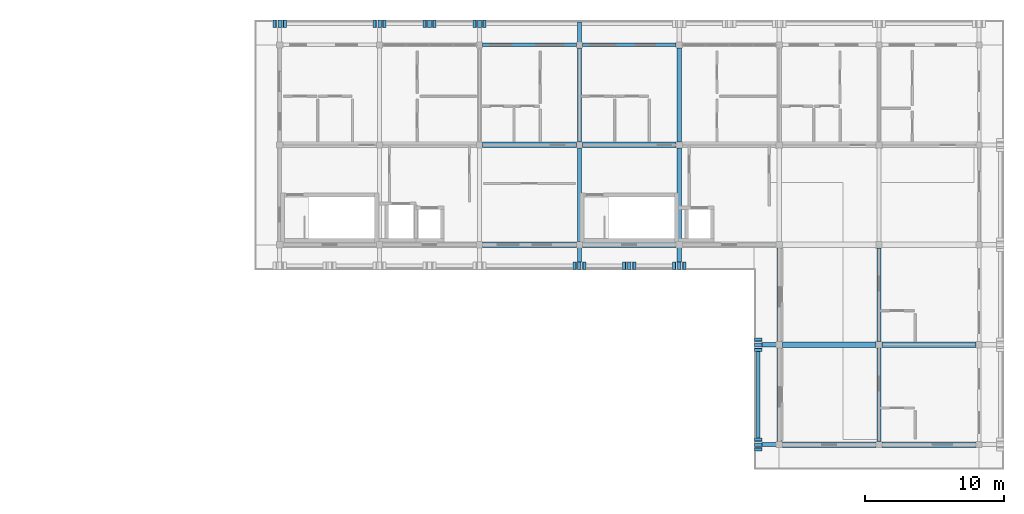
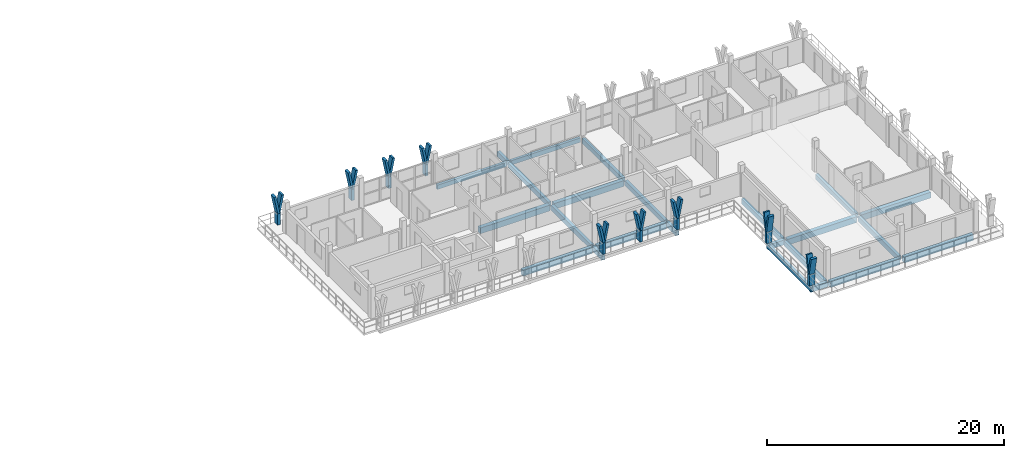
# One storey, part 10 of 32: 27 members, 24 beams.
"""IFC4 building model written with IfcOpenShell, lengths in metres."""

from ifc_helpers import new_model, si_unit, direction, frame, origin, origin_2d, place, context, subcontext, project, spatial, rectangle, extrude, material, material_profile, profile_set, type_object, element, save


model = new_model("IFC4")

# Units and contexts
model_context = context("Model", 3, precision=1e-05, world=origin(), true_north=direction((0.0, 1.0)))
body_context = subcontext(model_context, "Body", "Model", "MODEL_VIEW")
ifc_project = project(units=[si_unit("LENGTHUNIT", "METRE"), si_unit("AREAUNIT", "SQUARE_METRE"), si_unit("VOLUMEUNIT", "CUBIC_METRE"), si_unit("PLANEANGLEUNIT", "RADIAN"), si_unit("MASSUNIT", "GRAM", prefix="KILO")], contexts=[model_context])

# Site, building, storey
site_placement = place(None, origin())
site = spatial("IfcSite", under=ifc_project, at=site_placement, CompositionType="ELEMENT")
building_placement = place(site_placement, origin())
building = spatial("IfcBuilding", under=site, at=building_placement, Name="Suanplinth Sawtooth Commons", CompositionType="ELEMENT")
storey_placement = place(building_placement, frame((0.0, 0.0, 41.199951171875)))
storey = spatial("IfcBuildingStorey", under=building, at=storey_placement, Name="L12", CompositionType="ELEMENT", Elevation=41.199951171875)

# Beams
ifc_material_1 = material(Name="Precast concrete C40/50", Category="concrete")
ifc_material_profile_1 = material_profile(ifc_material_1, rectangle(XDim=0.39990234375, YDim=0.60009765625, at=origin_2d()), Name="PC-GDR 400x600")
ifc_profile_set_1 = profile_set([ifc_material_profile_1], Name="Precast concrete C40/50")
beam_type_1 = type_object("IfcBeamType", Name="B-05", PredefinedType="USERDEFINED", material=ifc_profile_set_1)
for number, where, z_axis, x_axis, name in (
    (1, (151.425048828125, 108.0, -0.510009765625), (1.0, 0.0, 0.0), (0.0, 1.0, 0.0), "BMX-L12-B-21-15"),
    (2, (151.425048828125, 115.199951171875, -0.510009765625), (1.0, 0.0, 0.0), (0.0, 1.0, 0.0), "BMX-L12-B-21-16"),
    (3, (158.625, 108.0, -0.510009765625), (1.0, 0.0, 0.0), (0.0, 1.0, 0.0), "BMX-L12-B-22-15"),
    (4, (158.625, 115.199951171875, -0.510009765625), (1.0, 0.0, 0.0), (0.0, 1.0, 0.0), "BMX-L12-B-22-16"),
    (5, (173.02490234375, 93.60009765625, -0.510009765625), (1.0, 0.0, 0.0), (0.0, 1.0, 0.0), "BMX-L12-B-24-13"),
    (6, (173.02490234375, 100.800048828125, -0.510009765625), (1.0, 0.0, 0.0), (0.0, 1.0, 0.0), "BMX-L12-B-24-14"),
    (7, (180.22509765625, 93.60009765625, -0.510009765625), (1.0, 0.0, 0.0), (0.0, 1.0, 0.0), "BMX-L12-B-25-13"),
    (8, (180.22509765625, 100.800048828125, -0.510009765625), (1.0, 0.0, 0.0), (0.0, 1.0, 0.0), "BMX-L12-B-25-14"),
):
    element("IfcBeam", number, at=place(storey_placement, frame(where, z_axis=z_axis, x_axis=x_axis)), inside=storey, type_object=beam_type_1, Name=name, ObjectType="GIRDER", PredefinedType="USERDEFINED", context=body_context, shape_type="SweptSolid", body=[
        extrude(rectangle(XDim=0.39990234375, YDim=0.60009765625, at=origin_2d()), origin(), (0.0, 0.0, 1.0), 6.75),
    ])
ifc_material_profile_2 = material_profile(ifc_material_1, rectangle(XDim=0.300048828125, YDim=0.5, at=origin_2d()), Name="PC-BM 300x500")
ifc_profile_set_2 = profile_set([ifc_material_profile_2], Name="Precast concrete C40/50")
beam_type_2 = type_object("IfcBeamType", Name="B-07", PredefinedType="BEAM", material=ifc_profile_set_2)
for number, where, z_axis, x_axis, name in (
    (9, (158.39990234375, 108.22509765625, -0.4599609375), (0.0, 1.0, 0.0), (-1.0, 0.0, 0.0), "BMY-L12-B-22-15"),
    (10, (158.39990234375, 115.425048828125, -0.4599609375), (0.0, 1.0, 0.0), (-1.0, 0.0, 0.0), "BMY-L12-B-22-16"),
    (11, (165.60009765625, 108.22509765625, -0.4599609375), (0.0, 1.0, 0.0), (-1.0, 0.0, 0.0), "BMY-L12-B-23-15"),
    (12, (165.60009765625, 115.425048828125, -0.4599609375), (0.0, 1.0, 0.0), (-1.0, 0.0, 0.0), "BMY-L12-B-23-16"),
    (13, (172.800048828125, 93.824951171875, -0.4599609375), (0.0, 1.0, 0.0), (-1.0, 0.0, 0.0), "BMY-L12-B-24-13"),
    (14, (172.800048828125, 101.02490234375, -0.4599609375), (0.0, 1.0, 0.0), (-1.0, 0.0, 0.0), "BMY-L12-B-24-14"),
    (15, (180.0, 93.824951171875, -0.4599609375), (0.0, 1.0, 0.0), (-1.0, 0.0, 0.0), "BMY-L12-B-25-13"),
    (16, (180.0, 101.02490234375, -0.4599609375), (0.0, 1.0, 0.0), (-1.0, 0.0, 0.0), "BMY-L12-B-25-14"),
):
    element("IfcBeam", number, at=place(storey_placement, frame(where, z_axis=z_axis, x_axis=x_axis)), inside=storey, type_object=beam_type_2, Name=name, PredefinedType="BEAM", context=body_context, shape_type="SweptSolid", body=[
        extrude(rectangle(XDim=0.300048828125, YDim=0.5, at=origin_2d()), origin(), (0.0, 0.0, 1.0), 6.75),
    ])
beam_1_placement = place(storey_placement, frame((158.39990234375, 122.39990234375, -0.429931640625), z_axis=(0.0, 1.0, 0.0), x_axis=(-1.0, 0.0, 0.0)))
element("IfcBeam", 17, at=beam_1_placement, inside=storey, type_object=beam_type_2, Name="Balcony Outrigger L12-B-N-22", PredefinedType="BEAM", context=body_context, shape_type="SweptSolid", body=[
    extrude(rectangle(XDim=0.300048828125, YDim=0.5, at=origin_2d()), origin(), (0.0, 0.0, 1.0), 1.64013671875),
])
for number, where, z_axis, x_axis, name in (
    (18, (158.39990234375, 108.0, -0.425048828125), (0.0, -1.0, 0.0), (1.0, 0.0, 0.0), "Balcony Outrigger L12-B-SC-22"),
    (19, (165.60009765625, 108.0, -0.425048828125), (0.0, -1.0, 0.0), (1.0, 0.0, 0.0), "Balcony Outrigger L12-B-SC-23"),
):
    element("IfcBeam", number, at=place(storey_placement, frame(where, z_axis=z_axis, x_axis=x_axis)), inside=storey, type_object=beam_type_2, Name=name, PredefinedType="BEAM", context=body_context, shape_type="SweptSolid", body=[
        extrude(rectangle(XDim=0.300048828125, YDim=0.5, at=origin_2d()), origin(), (0.0, 0.0, 1.0), 1.639892578125),
    ])
for number, where, z_axis, x_axis, name in (
    (20, (172.800048828125, 93.60009765625, -0.425048828125), (-1.0, 0.0, 0.0), (0.0, -1.0, 0.0), "Balcony Outrigger L12-B-WC-13"),
    (21, (172.800048828125, 100.800048828125, -0.425048828125), (-1.0, 0.0, 0.0), (0.0, -1.0, 0.0), "Balcony Outrigger L12-B-WC-14"),
):
    element("IfcBeam", number, at=place(storey_placement, frame(where, z_axis=z_axis, x_axis=x_axis)), inside=storey, type_object=beam_type_2, Name=name, PredefinedType="BEAM", context=body_context, shape_type="SweptSolid", body=[
        extrude(rectangle(XDim=0.300048828125, YDim=0.5, at=origin_2d()), origin(), (0.0, 0.0, 1.0), 1.64013671875),
    ])
ifc_material_profile_3 = material_profile(ifc_material_1, rectangle(XDim=0.25, YDim=0.449951171875, at=origin_2d()), Name="PC-SP 250x450")
ifc_profile_set_3 = profile_set([ifc_material_profile_3], Name="Precast concrete C40/50")
beam_type_3 = type_object("IfcBeamType", Name="B-09", PredefinedType="SPANDREL", material=ifc_profile_set_3)
for number, where, z_axis, x_axis, name in (
    (22, (151.425048828125, 122.39990234375, -0.43505859375), (1.0, 0.0, 0.0), (0.0, 1.0, 0.0), "BMX-L12-B-21-17"),
    (23, (158.625, 122.39990234375, -0.43505859375), (1.0, 0.0, 0.0), (0.0, 1.0, 0.0), "BMX-L12-B-22-17"),
):
    element("IfcBeam", number, at=place(storey_placement, frame(where, z_axis=z_axis, x_axis=x_axis)), inside=storey, type_object=beam_type_3, Name=name, PredefinedType="SPANDREL", context=body_context, shape_type="SweptSolid", body=[
        extrude(rectangle(XDim=0.25, YDim=0.449951171875, at=origin_2d()), origin(), (0.0, 0.0, 1.0), 6.75),
    ])
beam_2_placement = place(storey_placement, frame((171.280029296875, 93.449951171875, -0.39990234375), z_axis=(0.0, 1.0, 0.0), x_axis=(-1.0, 0.0, 0.0)))
element("IfcBeam", 24, at=beam_2_placement, inside=storey, type_object=beam_type_3, Name="Balcony Edge Fascia L12-B-WC", PredefinedType="SPANDREL", context=body_context, shape_type="SweptSolid", body=[
    extrude(rectangle(XDim=0.25, YDim=0.449951171875, at=origin_2d()), origin(), (0.0, 0.0, 1.0), 7.5),
])

# Members
ifc_material_2 = material(Name="Pigmented precast concrete C40/50", Category="concrete")
ifc_material_profile_4 = material_profile(ifc_material_2, rectangle(XDim=0.260009765625, YDim=0.550048828125, at=origin_2d()), Name="PC-FIN 260x550")
ifc_profile_set_4 = profile_set([ifc_material_profile_4], Name="Pigmented precast concrete C40/50")
member_type_1 = type_object("IfcMemberType", Name="M-09", PredefinedType="USERDEFINED", material=ifc_profile_set_4)
for number, where, z_axis, x_axis, name in (
    (25, (136.800048828125, 123.919921875, 0.0), (0.0, 0.0, 1.0), (1.0, 0.0, 0.0), "Y-Blade Stem L12-B-N-01"),
    (26, (144.0, 123.919921875, 0.0), (0.0, 0.0, 1.0), (1.0, 0.0, 0.0), "Y-Blade Stem L12-B-N-02"),
    (27, (147.60009765625, 123.919921875, 0.0), (0.0, 0.0, 1.0), (1.0, 0.0, 0.0), "Y-Blade Stem L12-B-N-03"),
    (28, (151.199951171875, 123.919921875, 0.0), (0.0, 0.0, 1.0), (1.0, 0.0, 0.0), "Y-Blade Stem L12-B-N-04"),
    (29, (158.39990234375, 106.47998046875, 0.0), (0.0, 0.0, 1.0), (1.0, 0.0, 0.0), "Y-Blade Stem L12-B-SC-19"),
    (30, (162.0, 106.47998046875, 0.0), (0.0, 0.0, 1.0), (1.0, 0.0, 0.0), "Y-Blade Stem L12-B-SC-20"),
    (31, (165.60009765625, 106.47998046875, 0.0), (0.0, 0.0, 1.0), (1.0, 0.0, 0.0), "Y-Blade Stem L12-B-SC-21"),
    (32, (171.280029296875, 93.60009765625, 0.0), (0.0, 0.0, 1.0), (0.0, 1.0, 0.0), "Y-Blade Stem L12-B-WC-22"),
    (33, (171.280029296875, 100.800048828125, 0.0), (0.0, 0.0, 1.0), (0.0, 1.0, 0.0), "Y-Blade Stem L12-B-WC-23"),
):
    element("IfcMember", number, at=place(storey_placement, frame(where, z_axis=z_axis, x_axis=x_axis)), inside=storey, type_object=member_type_1, Name=name, ObjectType="SHADING FIN", PredefinedType="USERDEFINED", context=body_context, shape_type="SweptSolid", body=[
        extrude(rectangle(XDim=0.260009765625, YDim=0.550048828125, at=origin_2d()), origin(), (0.0, 0.0, 1.0), 1.170166015625),
    ])
ifc_material_profile_5 = material_profile(ifc_material_2, rectangle(XDim=0.219970703125, YDim=0.550048828125, at=origin_2d()), Name="PC-FIN 220x550")
ifc_profile_set_5 = profile_set([ifc_material_profile_5], Name="Pigmented precast concrete C40/50")
member_type_2 = type_object("IfcMemberType", Name="M-10", PredefinedType="USERDEFINED", material=ifc_profile_set_5)
for number, where, z_axis, x_axis, name in (
    (34, (136.800048828125, 123.919921875, 1.130126953125), (-0.196216224008, 0.0, 0.980560652604), (0.980560652604, 0.0, 0.196216224008), "Y-Blade Arm L L12-B-N-01"),
    (35, (136.800048828125, 123.919921875, 1.130126953125), (0.196216224008, 0.0, 0.980560652604), (-0.980560652604, 0.0, 0.196216224008), "Y-Blade Arm R L12-B-N-01"),
    (36, (144.0, 123.919921875, 1.130126953125), (-0.196216224008, 0.0, 0.980560652604), (0.980560652604, 0.0, 0.196216224008), "Y-Blade Arm L L12-B-N-02"),
    (37, (144.0, 123.919921875, 1.130126953125), (0.196216224008, 0.0, 0.980560652604), (-0.980560652604, 0.0, 0.196216224008), "Y-Blade Arm R L12-B-N-02"),
):
    element("IfcMember", number, at=place(storey_placement, frame(where, z_axis=z_axis, x_axis=x_axis)), inside=storey, type_object=member_type_2, Name=name, ObjectType="SHADING FIN", PredefinedType="USERDEFINED", context=body_context, shape_type="SweptSolid", body=[
        extrude(rectangle(XDim=0.219970703125, YDim=0.550048828125, at=origin_2d()), origin(), (0.0, 0.0, 1.0), 1.876220703125),
    ])
member_1_placement = place(storey_placement, frame((147.60009765625, 123.919921875, 1.130126953125), z_axis=(-0.196341326472, 0.0, 0.980535610531), x_axis=(0.980535610531, 0.0, 0.196341326472)))
element("IfcMember", 38, at=member_1_placement, inside=storey, type_object=member_type_2, Name="Y-Blade Arm L L12-B-N-03", ObjectType="SHADING FIN", PredefinedType="USERDEFINED", context=body_context, shape_type="SweptSolid", body=[
    extrude(rectangle(XDim=0.219970703125, YDim=0.550048828125, at=origin_2d()), origin(), (0.0, 0.0, 1.0), 1.87646484375),
])
for number, where, z_axis, x_axis, name in (
    (39, (147.60009765625, 123.919921875, 1.130126953125), (0.196216224008, 0.0, 0.980560652604), (-0.980560652604, 0.0, 0.196216224008), "Y-Blade Arm R L12-B-N-03"),
    (40, (151.199951171875, 123.919921875, 1.130126953125), (-0.196216224008, 0.0, 0.980560652604), (0.980560652604, 0.0, 0.196216224008), "Y-Blade Arm L L12-B-N-04"),
    (41, (151.199951171875, 123.919921875, 1.130126953125), (0.196216224008, 0.0, 0.980560652604), (-0.980560652604, 0.0, 0.196216224008), "Y-Blade Arm R L12-B-N-04"),
    (42, (158.39990234375, 106.47998046875, 1.130126953125), (-0.196216224008, 0.0, 0.980560652604), (0.980560652604, 0.0, 0.196216224008), "Y-Blade Arm L L12-B-SC-19"),
):
    element("IfcMember", number, at=place(storey_placement, frame(where, z_axis=z_axis, x_axis=x_axis)), inside=storey, type_object=member_type_2, Name=name, ObjectType="SHADING FIN", PredefinedType="USERDEFINED", context=body_context, shape_type="SweptSolid", body=[
        extrude(rectangle(XDim=0.219970703125, YDim=0.550048828125, at=origin_2d()), origin(), (0.0, 0.0, 1.0), 1.876220703125),
    ])
member_2_placement = place(storey_placement, frame((158.39990234375, 106.47998046875, 1.130126953125), z_axis=(0.196341326472, 0.0, 0.980535610531), x_axis=(-0.980535610531, 0.0, 0.196341326472)))
element("IfcMember", 43, at=member_2_placement, inside=storey, type_object=member_type_2, Name="Y-Blade Arm R L12-B-SC-19", ObjectType="SHADING FIN", PredefinedType="USERDEFINED", context=body_context, shape_type="SweptSolid", body=[
    extrude(rectangle(XDim=0.219970703125, YDim=0.550048828125, at=origin_2d()), origin(), (0.0, 0.0, 1.0), 1.87646484375),
])
for number, where, z_axis, x_axis, name in (
    (44, (162.0, 106.47998046875, 1.130126953125), (-0.196216224008, 0.0, 0.980560652604), (0.980560652604, 0.0, 0.196216224008), "Y-Blade Arm L L12-B-SC-20"),
    (45, (162.0, 106.47998046875, 1.130126953125), (0.196216224008, 0.0, 0.980560652604), (-0.980560652604, 0.0, 0.196216224008), "Y-Blade Arm R L12-B-SC-20"),
):
    element("IfcMember", number, at=place(storey_placement, frame(where, z_axis=z_axis, x_axis=x_axis)), inside=storey, type_object=member_type_2, Name=name, ObjectType="SHADING FIN", PredefinedType="USERDEFINED", context=body_context, shape_type="SweptSolid", body=[
        extrude(rectangle(XDim=0.219970703125, YDim=0.550048828125, at=origin_2d()), origin(), (0.0, 0.0, 1.0), 1.876220703125),
    ])
member_3_placement = place(storey_placement, frame((165.60009765625, 106.47998046875, 1.130126953125), z_axis=(-0.196341326472, 0.0, 0.980535610531), x_axis=(0.980535610531, 0.0, 0.196341326472)))
element("IfcMember", 46, at=member_3_placement, inside=storey, type_object=member_type_2, Name="Y-Blade Arm L L12-B-SC-21", ObjectType="SHADING FIN", PredefinedType="USERDEFINED", context=body_context, shape_type="SweptSolid", body=[
    extrude(rectangle(XDim=0.219970703125, YDim=0.550048828125, at=origin_2d()), origin(), (0.0, 0.0, 1.0), 1.87646484375),
])
member_4_placement = place(storey_placement, frame((165.60009765625, 106.47998046875, 1.130126953125), z_axis=(0.196216224008, 0.0, 0.980560652604), x_axis=(-0.980560652604, 0.0, 0.196216224008)))
element("IfcMember", 47, at=member_4_placement, inside=storey, type_object=member_type_2, Name="Y-Blade Arm R L12-B-SC-21", ObjectType="SHADING FIN", PredefinedType="USERDEFINED", context=body_context, shape_type="SweptSolid", body=[
    extrude(rectangle(XDim=0.219970703125, YDim=0.550048828125, at=origin_2d()), origin(), (0.0, 0.0, 1.0), 1.876220703125),
])
member_5_placement = place(storey_placement, frame((171.280029296875, 93.60009765625, 1.130126953125), z_axis=(0.0, -0.196341326472, 0.980535610531), x_axis=(0.0, 0.980535610531, 0.196341326472)))
element("IfcMember", 48, at=member_5_placement, inside=storey, type_object=member_type_2, Name="Y-Blade Arm L L12-B-WC-22", ObjectType="SHADING FIN", PredefinedType="USERDEFINED", context=body_context, shape_type="SweptSolid", body=[
    extrude(rectangle(XDim=0.219970703125, YDim=0.550048828125, at=origin_2d()), origin(), (0.0, 0.0, 1.0), 1.87646484375),
])
for number, where, z_axis, x_axis, name in (
    (49, (171.280029296875, 93.60009765625, 1.130126953125), (0.0, 0.196216224008, 0.980560652604), (0.0, -0.980560652604, 0.196216224008), "Y-Blade Arm R L12-B-WC-22"),
    (50, (171.280029296875, 100.800048828125, 1.130126953125), (0.0, -0.196216224008, 0.980560652604), (0.0, 0.980560652604, 0.196216224008), "Y-Blade Arm L L12-B-WC-23"),
    (51, (171.280029296875, 100.800048828125, 1.130126953125), (0.0, 0.196216224008, 0.980560652604), (0.0, -0.980560652604, 0.196216224008), "Y-Blade Arm R L12-B-WC-23"),
):
    element("IfcMember", number, at=place(storey_placement, frame(where, z_axis=z_axis, x_axis=x_axis)), inside=storey, type_object=member_type_2, Name=name, ObjectType="SHADING FIN", PredefinedType="USERDEFINED", context=body_context, shape_type="SweptSolid", body=[
        extrude(rectangle(XDim=0.219970703125, YDim=0.550048828125, at=origin_2d()), origin(), (0.0, 0.0, 1.0), 1.876220703125),
    ])

save(model, "model.ifc")
